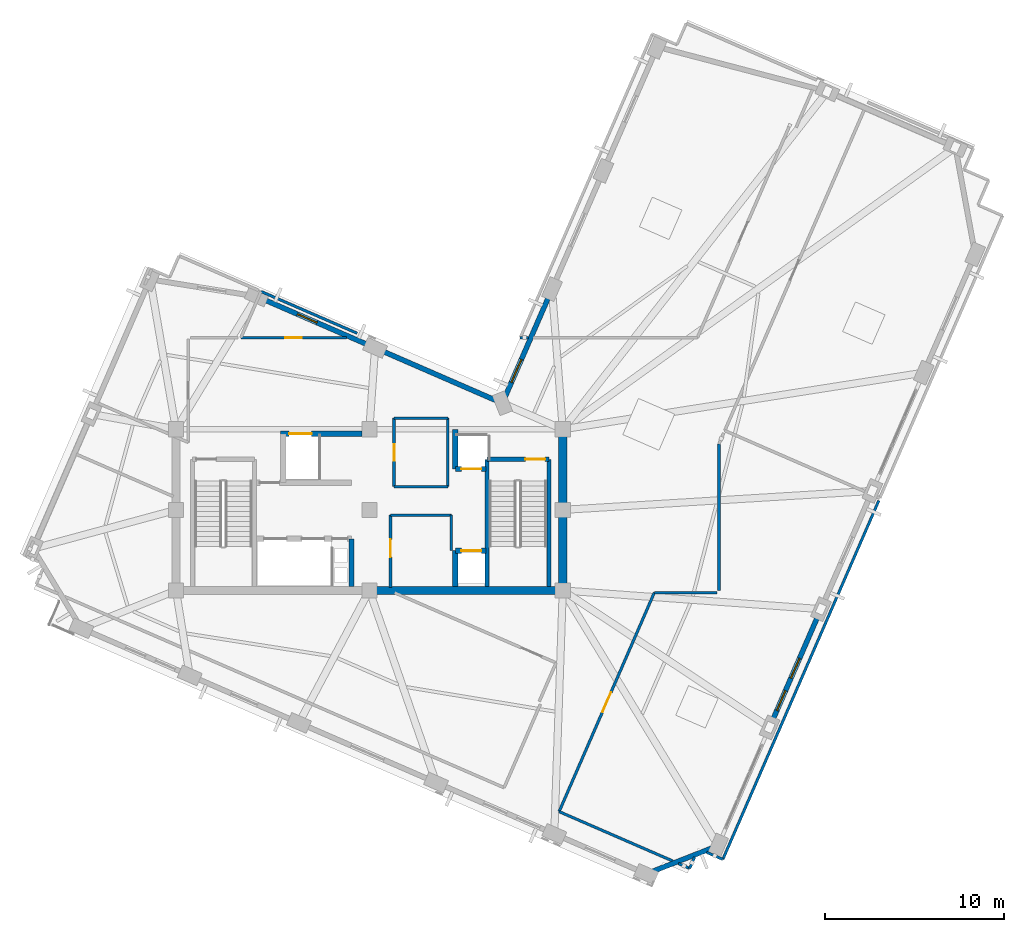
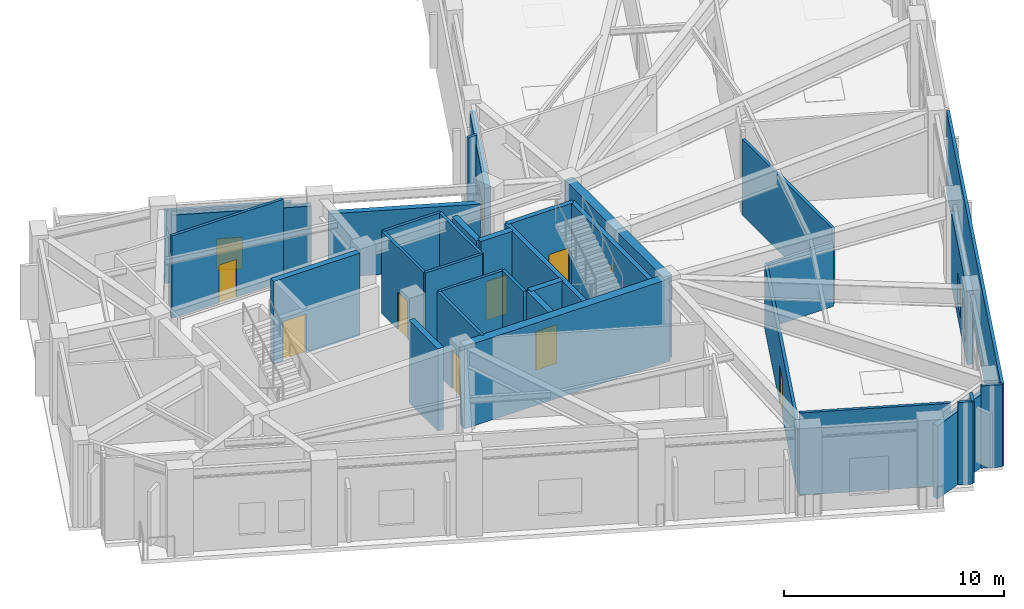
# One storey, part 6 of 11: 34 walls, 8 doors, 4 windows, 12 openings.
"""IFC4 building model written with IfcOpenShell, lengths in metres."""

from ifc_helpers import new_model, si_unit, direction, frame, frame_2d, origin, place, context, subcontext, project, spatial, rectangle, extrude, material, layer, layer_set, type_object, element, fill, save


model = new_model("IFC4")

# Units and contexts
model_context = context("Model", 3, precision=1e-05, world=origin(), true_north=direction((0.0, 1.0)))
body_context = subcontext(model_context, "Body", "Model", "MODEL_VIEW")
ifc_project = project(units=[si_unit("LENGTHUNIT", "METRE"), si_unit("AREAUNIT", "SQUARE_METRE"), si_unit("VOLUMEUNIT", "CUBIC_METRE"), si_unit("PLANEANGLEUNIT", "RADIAN"), si_unit("MASSUNIT", "GRAM", prefix="KILO")], contexts=[model_context])

# Site, building, storey
site_placement = place(None, origin())
site = spatial("IfcSite", under=ifc_project, at=site_placement, CompositionType="ELEMENT")
building_placement = place(site_placement, origin())
building = spatial("IfcBuilding", under=site, at=building_placement, Name="Gaonmaruhae Medical Tower", CompositionType="ELEMENT")
storey_placement = place(building_placement, frame((0.0, 0.0, 328.60009765625)))
storey = spatial("IfcBuildingStorey", under=building, at=storey_placement, Name="L79", CompositionType="ELEMENT", Elevation=328.60009765625)

# Walls
ifc_material_1 = material(Name="Concrete C50/60", Category="concrete")
ifc_layer_1 = layer(ifc_material_1, 0.449951171875)
ifc_layer_set_1 = layer_set([ifc_layer_1], Name="Concrete C50/60")
wall_type_1 = type_object("IfcWallType", Name="CW-450 Upper Core Shear Wall", PredefinedType="SHEAR", material=ifc_layer_set_1)
wall_1_placement = place(storey_placement, frame((24.800048828125, 7.800048828125, 0.0), z_axis=(0.0, 0.0, 1.0), x_axis=(1.0, 0.0, 0.0)))
element("IfcWall", 1, at=wall_1_placement, inside=storey, type_object=wall_type_1, Name="L79 Core Shear Wall CSW-S2", PredefinedType="SHEAR", context=body_context, shape_type="SweptSolid", body=[
    extrude(rectangle(XDim=10.800048828125, YDim=0.449951171875, at=frame_2d((5.39990234375, 0.0))), origin(), (0.0, 0.0, 1.0), 4.579833984375),
])
wall_2_placement = place(storey_placement, frame((35.60009765625, 7.800048828125, 0.0), z_axis=(0.0, 0.0, 1.0), x_axis=(0.0, 1.0, 0.0)))
element("IfcWall", 2, at=wall_2_placement, inside=storey, type_object=wall_type_1, Name="L79 Core Shear Wall CSW-E1", PredefinedType="SHEAR", context=body_context, shape_type="SweptSolid", body=[
    extrude(rectangle(XDim=9.0, YDim=0.449951171875, at=frame_2d((4.5, 0.0))), origin(), (0.0, 0.0, 1.0), 4.579833984375),
])

# Wall, openings, windows
ifc_material_2 = material(Name="Precast concrete C45/55", Category="concrete")
ifc_layer_2 = layer(ifc_material_2, 0.280029296875)
ifc_layer_set_2 = layer_set([ifc_layer_2], Name="Precast concrete C45/55")
wall_type_2 = type_object("IfcWallType", Name="EW-280 Upper Precast Masonry-Frame Facade Wall", PredefinedType="SOLIDWALL", material=ifc_layer_set_2)
wall_3_placement = place(storey_placement, frame((49.858642578125, 6.392578125, 0.0), z_axis=(0.0, 0.0, 1.0), x_axis=(-0.398758169539, -0.917056117272, 0.0)))
wall_3 = element("IfcWall", 3, at=wall_3_placement, inside=storey, type_object=wall_type_2, Name="L79 Precast Masonry-Frame Wall S02-S03", PredefinedType="SOLIDWALL", context=body_context, shape_type="SweptSolid", body=[
    extrude(rectangle(XDim=6.40478515625, YDim=0.280029296875, at=frame_2d((3.202392578125, 0.0))), origin(), (0.0, 0.0, 1.0), 4.06494140625),
])
opening_1_placement = place(wall_3_placement, frame((2.6025390625, 0.0, 0.75)))
opening_1 = element("IfcOpeningElement", 4, at=opening_1_placement, cuts=wall_3, Name="Opening WN-05", PredefinedType="OPENING", context=body_context, shape_type="SweptSolid", body=[
    extrude(rectangle(XDim=1.199951171875, YDim=1.75, at=frame_2d((0.60009765625, 0.875))), frame((0.0, 0.14990234375, 0.0), z_axis=(0.0, -1.0, 0.0), x_axis=(1.0, 0.0, 0.0)), (0.0, 0.0, 1.0), 0.300048828125),
])
opening_2_placement = place(wall_3_placement, frame((4.568603515625, 0.0, 0.75)))
opening_2 = element("IfcOpeningElement", 5, at=opening_2_placement, cuts=wall_3, Name="Opening WN-05", PredefinedType="OPENING", context=body_context, shape_type="SweptSolid", body=[
    extrude(rectangle(XDim=1.199951171875, YDim=1.75, at=frame_2d((0.60009765625, 0.875))), frame((0.0, 0.14990234375, 0.0), z_axis=(0.0, -1.0, 0.0), x_axis=(1.0, 0.0, 0.0)), (0.0, 0.0, 1.0), 0.300048828125),
])
ifc_material_3 = material(Name="Anodised aluminium and Low-E double glazing", Category="aluminium")
window_type_1 = type_object("IfcWindowType", Name="WN-05 Support & Staff Punched Window 1200x1750", PartitioningType="SINGLE_PANEL", PredefinedType="WINDOW", material=ifc_material_3)
window_1_placement = place(opening_1_placement, origin())
window_1 = element("IfcWindow", 6, at=window_1_placement, inside=storey, type_object=window_type_1, Name="L79 Modular Facade Window S02", OverallHeight=1.75, OverallWidth=1.199951171875, PartitioningType="SINGLE_PANEL", PredefinedType="WINDOW", context=body_context, shape_type="SweptSolid", body=[
    extrude(rectangle(XDim=1.199951171875, YDim=1.75, at=frame_2d((0.60009765625, 0.875))), frame((0.0, 0.030029296875, 0.0), z_axis=(0.0, -1.0, 0.0), x_axis=(1.0, 0.0, 0.0)), (0.0, 0.0, 1.0), 0.06005859375),
])
fill(opening_1, window_1)
window_2_placement = place(opening_2_placement, origin())
window_2 = element("IfcWindow", 7, at=window_2_placement, inside=storey, type_object=window_type_1, Name="L79 Modular Facade Window S02B", OverallHeight=1.75, OverallWidth=1.199951171875, PartitioningType="SINGLE_PANEL", PredefinedType="WINDOW", context=body_context, shape_type="SweptSolid", body=[
    extrude(rectangle(XDim=1.199951171875, YDim=1.75, at=frame_2d((0.60009765625, 0.875))), frame((0.0, 0.030029296875, 0.0), z_axis=(0.0, -1.0, 0.0), x_axis=(1.0, 0.0, 0.0)), (0.0, 0.0, 1.0), 0.06005859375),
])
fill(opening_2, window_2)

# Wall, opening, window
wall_4_placement = place(storey_placement, frame((32.384765625, 18.619384765625, 0.0), z_axis=(0.0, 0.0, 1.0), x_axis=(0.398753668733, 0.917058074318, 0.0)))
wall_4 = element("IfcWall", 8, at=wall_4_placement, inside=storey, type_object=wall_type_2, Name="L79 Precast Masonry-Frame Wall EN02-KN01", PredefinedType="SOLIDWALL", context=body_context, shape_type="SweptSolid", body=[
    extrude(rectangle(XDim=6.155029296875, YDim=0.280029296875, at=frame_2d((3.07763671875, 0.0))), origin(), (0.0, 0.0, 1.0), 4.06494140625),
])
opening_3_placement = place(wall_4_placement, frame((0.875, 0.0, 0.75)))
opening_3 = element("IfcOpeningElement", 9, at=opening_3_placement, cuts=wall_4, Name="Opening WN-03", PredefinedType="OPENING", context=body_context, shape_type="SweptSolid", body=[
    extrude(rectangle(XDim=1.39990234375, YDim=1.85009765625, at=frame_2d((0.699951171875, 0.925048828125))), frame((0.0, 0.14990234375, 0.0), z_axis=(0.0, -1.0, 0.0), x_axis=(1.0, 0.0, 0.0)), (0.0, 0.0, 1.0), 0.300048828125),
])
window_type_2 = type_object("IfcWindowType", Name="WN-03 Isolation Ward Punched Window 1400x1850", PartitioningType="SINGLE_PANEL", PredefinedType="WINDOW", material=ifc_material_3)
window_3_placement = place(opening_3_placement, origin())
window_3 = element("IfcWindow", 10, at=window_3_placement, inside=storey, type_object=window_type_2, Name="L79 Modular Facade Window EN02", OverallHeight=1.85009765625, OverallWidth=1.39990234375, PartitioningType="SINGLE_PANEL", PredefinedType="WINDOW", context=body_context, shape_type="SweptSolid", body=[
    extrude(rectangle(XDim=1.39990234375, YDim=1.85009765625, at=frame_2d((0.699951171875, 0.925048828125))), frame((0.0, 0.030029296875, 0.0), z_axis=(0.0, -1.0, 0.0), x_axis=(1.0, 0.0, 0.0)), (0.0, 0.0, 1.0), 0.06005859375),
])
fill(opening_3, window_3)

# Wall
wall_5_placement = place(storey_placement, frame((25.483642578125, 21.186767578125, 0.0), z_axis=(0.0, 0.0, 1.0), x_axis=(0.917060568388, -0.398747932794, 0.0)))
element("IfcWall", 11, at=wall_5_placement, inside=storey, type_object=wall_type_2, Name="L79 Precast Masonry-Frame Wall KN01-NE01", PredefinedType="SOLIDWALL", context=body_context, shape_type="SweptSolid", body=[
    extrude(rectangle(XDim=6.954833984375, YDim=0.280029296875, at=frame_2d((3.4775390625, 0.0))), origin(), (0.0, 0.0, 1.0), 3.56494140625),
])

# Wall, opening, window
wall_6_placement = place(storey_placement, frame((18.880859375, 24.0576171875, 0.0), z_axis=(0.0, 0.0, 1.0), x_axis=(0.917070056253, -0.398726111414, 0.0)))
wall_6 = element("IfcWall", 12, at=wall_6_placement, inside=storey, type_object=wall_type_2, Name="L79 Precast Masonry-Frame Wall NE01-NE02", PredefinedType="SOLIDWALL", context=body_context, shape_type="SweptSolid", body=[
    extrude(rectangle(XDim=6.40478515625, YDim=0.280029296875, at=frame_2d((3.202392578125, 0.0))), origin(), (0.0, 0.0, 1.0), 4.06494140625),
])
opening_4_placement = place(wall_6_placement, frame((2.0712890625, 0.0, 0.75)))
opening_4 = element("IfcOpeningElement", 13, at=opening_4_placement, cuts=wall_6, Name="Opening WN-05", PredefinedType="OPENING", context=body_context, shape_type="SweptSolid", body=[
    extrude(rectangle(XDim=1.199951171875, YDim=1.75, at=frame_2d((0.60009765625, 0.875))), frame((0.0, 0.14990234375, 0.0), z_axis=(0.0, -1.0, 0.0), x_axis=(1.0, 0.0, 0.0)), (0.0, 0.0, 1.0), 0.300048828125),
])
window_4_placement = place(opening_4_placement, origin())
window_4 = element("IfcWindow", 14, at=window_4_placement, inside=storey, type_object=window_type_1, Name="L79 Modular Facade Window NE01", OverallHeight=1.75, OverallWidth=1.199951171875, PartitioningType="SINGLE_PANEL", PredefinedType="WINDOW", context=body_context, shape_type="SweptSolid", body=[
    extrude(rectangle(XDim=1.199951171875, YDim=1.75, at=frame_2d((0.60009765625, 0.875))), frame((0.0, 0.030029296875, 0.0), z_axis=(0.0, -1.0, 0.0), x_axis=(1.0, 0.0, 0.0)), (0.0, 0.0, 1.0), 0.06005859375),
])
fill(opening_4, window_4)

# Wall
wall_7_placement = place(storey_placement, frame((43.9052734375, -6.593994140625, 0.0), z_axis=(0.0, 0.0, 1.0), x_axis=(-0.930406958637, -0.366528158974, 0.0)))
element("IfcWall", 15, at=wall_7_placement, inside=storey, type_object=wall_type_2, Name="L79 Precast Masonry-Frame Wall W06-S01", PredefinedType="SOLIDWALL", context=body_context, shape_type="SweptSolid", body=[
    extrude(rectangle(XDim=3.518310546875, YDim=0.280029296875, at=frame_2d((1.75927734375, 0.0))), origin(), (0.0, 0.0, 1.0), 4.06494140625),
])

# Wall, opening, door
ifc_material_4 = material(Name="Gypsum board partition", Category="gypsum")
ifc_layer_3 = layer(ifc_material_4, 0.14990234375)
ifc_layer_set_3 = layer_set([ifc_layer_3], Name="Gypsum board partition")
wall_type_3 = type_object("IfcWallType", Name="PW-150 Rated Clinical Corridor Partition", PredefinedType="PARTITIONING", material=ifc_layer_set_3)
wall_8_placement = place(storey_placement, frame((25.97998046875, 7.9599609375, 0.0), z_axis=(0.0, 0.0, 1.0), x_axis=(0.0, 1.0, 0.0)))
wall_8 = element("IfcWall", 16, at=wall_8_placement, inside=storey, type_object=wall_type_3, Name="L79 Interior Partition L79-RCL1-1", PredefinedType="PARTITIONING", context=body_context, shape_type="SweptSolid", body=[
    extrude(rectangle(XDim=4.0400390625, YDim=0.14990234375, at=frame_2d((2.02001953125, 0.0))), origin(), (0.0, 0.0, 1.0), 4.579833984375),
])
opening_5_placement = place(wall_8_placement, frame((1.695068359375, 0.0, 0.0)))
opening_5 = element("IfcOpeningElement", 17, at=opening_5_placement, cuts=wall_8, Name="Opening CD-01", PredefinedType="OPENING", context=body_context, shape_type="SweptSolid", body=[
    extrude(rectangle(XDim=1.0, YDim=2.1201171875, at=frame_2d((0.5, 1.06005859375))), frame((0.0, 0.0849609375, 0.0), z_axis=(0.0, -1.0, 0.0), x_axis=(1.0, 0.0, 0.0)), (0.0, 0.0, 1.0), 0.169921875),
])
ifc_material_5 = material(Name="Antimicrobial laminate timber fire door", Category="wood")
door_type_1 = type_object("IfcDoorType", Name="CD-01 Consultation & Physician Office Door 1000x2120", OperationType="NOTDEFINED", PredefinedType="DOOR", material=ifc_material_5)
door_1_placement = place(opening_5_placement, origin())
door_1 = element("IfcDoor", 18, at=door_1_placement, inside=storey, type_object=door_type_1, Name="L79 Clinical Telemetry and Medication Room Door", OperationType="SINGLE_SWING_RIGHT", OverallHeight=2.1201171875, OverallWidth=1.0, PredefinedType="DOOR", context=body_context, shape_type="SweptSolid", body=[
    extrude(rectangle(XDim=1.0, YDim=2.1201171875, at=frame_2d((0.5, 1.06005859375))), frame((0.0, 0.02490234375, 0.0), z_axis=(0.0, -1.0, 0.0), x_axis=(1.0, 0.0, 0.0)), (0.0, 0.0, 1.0), 0.050048828125),
])
fill(opening_5, door_1)

# Walls
wall_9_placement = place(storey_placement, frame((25.97998046875, 12.0, 0.0), z_axis=(0.0, 0.0, 1.0), x_axis=(1.0, 0.0, 0.0)))
element("IfcWall", 19, at=wall_9_placement, inside=storey, type_object=wall_type_3, Name="L79 Interior Partition L79-RCL1-2", PredefinedType="PARTITIONING", context=body_context, shape_type="SweptSolid", body=[
    extrude(rectangle(XDim=3.39990234375, YDim=0.14990234375, at=frame_2d((1.699951171875, 0.0))), origin(), (0.0, 0.0, 1.0), 4.579833984375),
])
wall_10_placement = place(storey_placement, frame((29.3798828125, 12.0, 0.0), z_axis=(0.0, 0.0, 1.0), x_axis=(0.0, -1.0, 0.0)))
element("IfcWall", 20, at=wall_10_placement, inside=storey, type_object=wall_type_3, Name="L79 Interior Partition L79-RCL1-3", PredefinedType="PARTITIONING", context=body_context, shape_type="SweptSolid", body=[
    extrude(rectangle(XDim=1.97998046875, YDim=0.14990234375, at=frame_2d((0.989990234375, 0.0))), origin(), (0.0, 0.0, 1.0), 4.579833984375),
])

# Wall, opening, door
wall_11_placement = place(storey_placement, frame((26.179931640625, 13.60009765625, 0.0), z_axis=(0.0, 0.0, 1.0), x_axis=(0.0, 1.0, 0.0)))
wall_11 = element("IfcWall", 21, at=wall_11_placement, inside=storey, type_object=wall_type_3, Name="L79 Interior Partition L79-RCL2-4", PredefinedType="PARTITIONING", context=body_context, shape_type="SweptSolid", body=[
    extrude(rectangle(XDim=3.81982421875, YDim=0.14990234375, at=frame_2d((1.909912109375, 0.0))), origin(), (0.0, 0.0, 1.0), 4.579833984375),
])
opening_6_placement = place(wall_11_placement, frame((1.449951171875, 0.0, 0.0)))
opening_6 = element("IfcOpeningElement", 22, at=opening_6_placement, cuts=wall_11, Name="Opening UD-01", PredefinedType="OPENING", context=body_context, shape_type="SweptSolid", body=[
    extrude(rectangle(XDim=0.919921875, YDim=2.10009765625, at=frame_2d((0.4599609375, 1.050048828125))), frame((0.0, 0.0849609375, 0.0), z_axis=(0.0, -1.0, 0.0), x_axis=(1.0, 0.0, 0.0)), (0.0, 0.0, 1.0), 0.169921875),
])
ifc_material_6 = material(Name="Powder-coated steel utility door", Category="steel")
door_type_2 = type_object("IfcDoorType", Name="UD-01 Toilet, Utility & Housekeeping Door 920x2100", OperationType="NOTDEFINED", PredefinedType="DOOR", material=ifc_material_6)
door_2_placement = place(opening_6_placement, origin())
door_2 = element("IfcDoor", 23, at=door_2_placement, inside=storey, type_object=door_type_2, Name="L79 Accessible Staff Toilet Door", OperationType="SINGLE_SWING_LEFT", OverallHeight=2.10009765625, OverallWidth=0.919921875, PredefinedType="DOOR", context=body_context, shape_type="SweptSolid", body=[
    extrude(rectangle(XDim=0.919921875, YDim=2.10009765625, at=frame_2d((0.4599609375, 1.050048828125))), frame((0.0, 0.02490234375, 0.0), z_axis=(0.0, -1.0, 0.0), x_axis=(1.0, 0.0, 0.0)), (0.0, 0.0, 1.0), 0.050048828125),
])
fill(opening_6, door_2)

# Walls
wall_12_placement = place(storey_placement, frame((26.179931640625, 17.419921875, 0.0), z_axis=(0.0, 0.0, 1.0), x_axis=(1.0, 0.0, 0.0)))
element("IfcWall", 24, at=wall_12_placement, inside=storey, type_object=wall_type_3, Name="L79 Interior Partition L79-RCL2-5", PredefinedType="PARTITIONING", context=body_context, shape_type="SweptSolid", body=[
    extrude(rectangle(XDim=3.0, YDim=0.14990234375, at=frame_2d((1.5, 0.0))), origin(), (0.0, 0.0, 1.0), 4.579833984375),
])
wall_13_placement = place(storey_placement, frame((29.179931640625, 17.419921875, 0.0), z_axis=(0.0, 0.0, 1.0), x_axis=(0.0, -1.0, 0.0)))
element("IfcWall", 25, at=wall_13_placement, inside=storey, type_object=wall_type_3, Name="L79 Interior Partition L79-RCL2-6", PredefinedType="PARTITIONING", context=body_context, shape_type="SweptSolid", body=[
    extrude(rectangle(XDim=3.81982421875, YDim=0.14990234375, at=frame_2d((1.909912109375, 0.0))), origin(), (0.0, 0.0, 1.0), 4.579833984375),
])
wall_14_placement = place(storey_placement, frame((29.179931640625, 13.60009765625, 0.0), z_axis=(0.0, 0.0, 1.0), x_axis=(-1.0, 0.0, 0.0)))
element("IfcWall", 26, at=wall_14_placement, inside=storey, type_object=wall_type_3, Name="L79 Interior Partition L79-RCL2-7", PredefinedType="PARTITIONING", context=body_context, shape_type="SweptSolid", body=[
    extrude(rectangle(XDim=3.0, YDim=0.14990234375, at=frame_2d((1.5, 0.0))), origin(), (0.0, 0.0, 1.0), 4.579833984375),
])
wall_15_placement = place(storey_placement, frame((44.320068359375, 7.800048828125, 0.0), z_axis=(0.0, 0.0, 1.0), x_axis=(0.0, 1.0, 0.0)))
element("IfcWall", 27, at=wall_15_placement, inside=storey, type_object=wall_type_3, Name="L79 Interior Partition L79-HYDR-16", PredefinedType="PARTITIONING", context=body_context, shape_type="SweptSolid", body=[
    extrude(rectangle(XDim=8.175048828125, YDim=0.14990234375, at=frame_2d((4.08740234375, 0.0))), origin(), (0.0, 0.0, 1.0), 4.21484375),
])
wall_16_placement = place(storey_placement, frame((53.2529296875, 12.820068359375, 0.0), z_axis=(0.0, 0.0, 1.0), x_axis=(-0.39875225923, -0.917058687194, 0.0)))
element("IfcWall", 28, at=wall_16_placement, inside=storey, type_object=wall_type_3, Name="L79 Interior Partition L79-HYDR-18", PredefinedType="PARTITIONING", context=body_context, shape_type="SweptSolid", body=[
    extrude(rectangle(XDim=21.850341796875, YDim=0.14990234375, at=frame_2d((10.92529296875, 0.0))), origin(), (0.0, 0.0, 1.0), 4.579833984375),
])
wall_17_placement = place(storey_placement, frame((44.5400390625, -7.218017578125, 0.0), z_axis=(0.0, 0.0, 1.0), x_axis=(-0.916865462782, 0.399196346623, 0.0)))
element("IfcWall", 29, at=wall_17_placement, inside=storey, type_object=wall_type_3, Name="L79 Interior Partition L79-HYDR-19", PredefinedType="PARTITIONING", context=body_context, shape_type="SweptSolid", body=[
    extrude(rectangle(XDim=0.987060546875, YDim=0.14990234375, at=frame_2d((0.49365234375, 0.0))), origin(), (0.0, 0.0, 1.0), 4.579833984375),
])
wall_18_placement = place(storey_placement, frame((42.9599609375, -7.090087890625, 0.0), z_axis=(0.0, 0.0, 1.0), x_axis=(-0.39880409212, -0.917036147656, 0.0)))
element("IfcWall", 30, at=wall_18_placement, inside=storey, type_object=wall_type_3, Name="L79 Interior Partition L79-HYDR-20", PredefinedType="PARTITIONING", context=body_context, shape_type="SweptSolid", body=[
    extrude(rectangle(XDim=0.686767578125, YDim=0.14990234375, at=frame_2d((0.34326171875, 0.0))), origin(), (0.0, 0.0, 1.0), 4.579833984375),
])
wall_19_placement = place(storey_placement, frame((42.68603515625, -7.719970703125, 0.0), z_axis=(0.0, 0.0, 1.0), x_axis=(-0.917092650936, 0.398674139617, 0.0)))
element("IfcWall", 31, at=wall_19_placement, inside=storey, type_object=wall_type_3, Name="L79 Interior Partition L79-HYDR-21", PredefinedType="PARTITIONING", context=body_context, shape_type="SweptSolid", body=[
    extrude(rectangle(XDim=0.68701171875, YDim=0.14990234375, at=frame_2d((0.343505859375, 0.0))), origin(), (0.0, 0.0, 1.0), 4.579833984375),
])
wall_20_placement = place(storey_placement, frame((41.758056640625, -7.31591796875, 0.0), z_axis=(0.0, 0.0, 1.0), x_axis=(-0.917082924279, 0.398696513648, 0.0)))
element("IfcWall", 32, at=wall_20_placement, inside=storey, type_object=wall_type_3, Name="L79 Interior Partition L79-HYDR-22", PredefinedType="PARTITIONING", context=body_context, shape_type="SweptSolid", body=[
    extrude(rectangle(XDim=6.937255859375, YDim=0.14990234375, at=frame_2d((3.46875, 0.0))), origin(), (0.0, 0.0, 1.0), 4.579833984375),
])

# Wall, opening, door
wall_21_placement = place(storey_placement, frame((35.39599609375, -4.550048828125, 0.0), z_axis=(0.0, 0.0, 1.0), x_axis=(0.398695317753, 0.917083444187, 0.0)))
wall_21 = element("IfcWall", 33, at=wall_21_placement, inside=storey, type_object=wall_type_3, Name="L79 Interior Partition L79-HYDR-23", PredefinedType="PARTITIONING", context=body_context, shape_type="SweptSolid", body=[
    extrude(rectangle(XDim=13.335693359375, YDim=0.14990234375, at=frame_2d((6.66796875, 0.0))), origin(), (0.0, 0.0, 1.0), 3.56494140625),
])
opening_7_placement = place(wall_21_placement, frame((6.06787109375, 0.0, 0.0)))
opening_7 = element("IfcOpeningElement", 34, at=opening_7_placement, cuts=wall_21, Name="Opening CD-02", PredefinedType="OPENING", context=body_context, shape_type="SweptSolid", body=[
    extrude(rectangle(XDim=1.199951171875, YDim=2.14990234375, at=frame_2d((0.60009765625, 1.074951171875))), frame((0.0, 0.0849609375, 0.0), z_axis=(0.0, -1.0, 0.0), x_axis=(1.0, 0.0, 0.0)), (0.0, 0.0, 1.0), 0.169921875),
])
door_type_3 = type_object("IfcDoorType", Name="CD-02 Clinical Treatment & Procedure Door 1200x2150", OperationType="NOTDEFINED", PredefinedType="DOOR", material=ifc_material_5)
door_3_placement = place(opening_7_placement, origin())
door_3 = element("IfcDoor", 35, at=door_3_placement, inside=storey, type_object=door_type_3, Name="L79 Hydrotherapy Mobility Rehabilitation Ward Door", OperationType="SINGLE_SWING_RIGHT", OverallHeight=2.14990234375, OverallWidth=1.199951171875, PredefinedType="DOOR", context=body_context, shape_type="SweptSolid", body=[
    extrude(rectangle(XDim=1.199951171875, YDim=2.14990234375, at=frame_2d((0.60009765625, 1.074951171875))), frame((0.0, 0.02490234375, 0.0), z_axis=(0.0, -1.0, 0.0), x_axis=(1.0, 0.0, 0.0)), (0.0, 0.0, 1.0), 0.050048828125),
])
fill(opening_7, door_3)

# Walls
wall_22_placement = place(storey_placement, frame((40.712890625, 7.679931640625, 0.0), z_axis=(0.0, 0.0, 1.0), x_axis=(0.999999961053, 0.000279095719, 0.0)))
element("IfcWall", 36, at=wall_22_placement, inside=storey, type_object=wall_type_3, Name="L79 Interior Partition L79-HYDR-24", PredefinedType="PARTITIONING", context=body_context, shape_type="SweptSolid", body=[
    extrude(rectangle(XDim=3.4990234375, YDim=0.14990234375, at=frame_2d((1.74951171875, 0.0))), origin(), (0.0, 0.0, 1.0), 3.56494140625),
])
wall_23_placement = place(storey_placement, frame((33.694091796875, 21.919921875, 0.0), z_axis=(0.0, 0.0, 1.0), x_axis=(-1.0, 0.0, 0.0)))
element("IfcWall", 37, at=wall_23_placement, inside=storey, type_object=wall_type_3, Name="L79 Interior Partition L79-CONS-27", PredefinedType="PARTITIONING", context=body_context, shape_type="SweptSolid", body=[
    extrude(rectangle(XDim=0.47412109375, YDim=0.14990234375, at=frame_2d((0.237060546875, 0.0))), origin(), (0.0, 0.0, 1.0), 4.579833984375),
])
wall_24_placement = place(storey_placement, frame((18.7470703125, 24.4970703125, 0.0), z_axis=(0.0, 0.0, 1.0), x_axis=(0.91710588147, -0.39864370329, 0.0)))
element("IfcWall", 38, at=wall_24_placement, inside=storey, type_object=wall_type_3, Name="L79 Interior Partition L79-AWC-42", PredefinedType="PARTITIONING", context=body_context, shape_type="SweptSolid", body=[
    extrude(rectangle(XDim=5.849853515625, YDim=0.14990234375, at=frame_2d((2.9248046875, 0.0))), origin(), (0.0, 0.0, 1.0), 4.06494140625),
])

# Wall, opening, door
wall_25_placement = place(storey_placement, frame((23.509033203125, 21.919921875, 0.0), z_axis=(0.0, 0.0, 1.0), x_axis=(-1.0, 0.0, 0.0)))
wall_25 = element("IfcWall", 39, at=wall_25_placement, inside=storey, type_object=wall_type_3, Name="L79 Interior Partition L79-AWC-43", PredefinedType="PARTITIONING", context=body_context, shape_type="SweptSolid", body=[
    extrude(rectangle(XDim=5.882080078125, YDim=0.14990234375, at=frame_2d((2.94091796875, 0.0))), origin(), (0.0, 0.0, 1.0), 4.579833984375),
])
opening_8_placement = place(wall_25_placement, frame((2.48095703125, 0.0, 0.0)))
opening_8 = element("IfcOpeningElement", 40, at=opening_8_placement, cuts=wall_25, Name="Opening UD-01", PredefinedType="OPENING", context=body_context, shape_type="SweptSolid", body=[
    extrude(rectangle(XDim=0.919921875, YDim=2.10009765625, at=frame_2d((0.4599609375, 1.050048828125))), frame((0.0, 0.0849609375, 0.0), z_axis=(0.0, -1.0, 0.0), x_axis=(1.0, 0.0, 0.0)), (0.0, 0.0, 1.0), 0.169921875),
])
door_4_placement = place(opening_8_placement, origin())
door_4 = element("IfcDoor", 41, at=door_4_placement, inside=storey, type_object=door_type_2, Name="L79 Sky Garden Accessible Public Toilet Door", OperationType="SINGLE_SWING_LEFT", OverallHeight=2.10009765625, OverallWidth=0.919921875, PredefinedType="DOOR", context=body_context, shape_type="SweptSolid", body=[
    extrude(rectangle(XDim=0.919921875, YDim=2.10009765625, at=frame_2d((0.4599609375, 1.050048828125))), frame((0.0, 0.02490234375, 0.0), z_axis=(0.0, -1.0, 0.0), x_axis=(1.0, 0.0, 0.0)), (0.0, 0.0, 1.0), 0.050048828125),
])
fill(opening_8, door_4)

ifc_layer_4 = layer(ifc_material_1, 0.239990234375)
ifc_layer_set_4 = layer_set([ifc_layer_4], Name="Concrete C50/60")
wall_type_4 = type_object("IfcWallType", Name="SW-240 Dogleg Stair Tight Shaft Wall", PredefinedType="SOLIDWALL", material=ifc_layer_set_4)
wall_26_placement = place(storey_placement, frame((31.3701171875, 15.1201171875, 0.0), z_axis=(0.0, 0.0, 1.0), x_axis=(1.0, 0.0, 0.0)))
wall_26 = element("IfcWall", 42, at=wall_26_placement, inside=storey, type_object=wall_type_4, Name="L79 ST-02 Stair Shaft Wall SHW-ST-02-N", PredefinedType="SOLIDWALL", context=body_context, shape_type="SweptSolid", body=[
    extrude(rectangle(XDim=3.4599609375, YDim=0.239990234375, at=frame_2d((1.72998046875, 0.0))), origin(), (0.0, 0.0, 1.0), 4.579833984375),
])
opening_9_placement = place(wall_26_placement, frame((2.139892578125, 0.0, 0.0)))
opening_9 = element("IfcOpeningElement", 43, at=opening_9_placement, cuts=wall_26, Name="Opening FD-01", PredefinedType="OPENING", context=body_context, shape_type="SweptSolid", body=[
    extrude(rectangle(XDim=1.10009765625, YDim=2.14990234375, at=frame_2d((0.550048828125, 1.074951171875))), frame((0.0, 0.1298828125, 0.0), z_axis=(0.0, -1.0, 0.0), x_axis=(1.0, 0.0, 0.0)), (0.0, 0.0, 1.0), 0.260009765625),
])
ifc_material_7 = material(Name="Powder-coated steel fire door", Category="steel")
door_type_4 = type_object("IfcDoorType", Name="FD-01 Escape Stair Protected Fire Door 1100x2150", OperationType="NOTDEFINED", PredefinedType="DOOR", material=ifc_material_7)
door_5_placement = place(opening_9_placement, origin())
door_5 = element("IfcDoor", 44, at=door_5_placement, inside=storey, type_object=door_type_4, Name="L79 ST-02 Protected Escape Stair Door", OperationType="SINGLE_SWING_LEFT", OverallHeight=2.14990234375, OverallWidth=1.10009765625, PredefinedType="DOOR", context=body_context, shape_type="SweptSolid", body=[
    extrude(rectangle(XDim=1.10009765625, YDim=2.14990234375, at=frame_2d((0.550048828125, 1.074951171875))), frame((0.0, 0.02490234375, 0.0), z_axis=(0.0, -1.0, 0.0), x_axis=(1.0, 0.0, 0.0)), (0.0, 0.0, 1.0), 0.050048828125),
])
fill(opening_9, door_5)

# Walls
for number, where, z_axis, x_axis, name in (
    (45, (34.830078125, 15.1201171875, 0.0), (0.0, 0.0, 1.0), (0.0, -1.0, 0.0), "L79 ST-02 Stair Shaft Wall SHW-ST-02-E"),
    (46, (31.3701171875, 8.02490234375, 0.0), (0.0, 0.0, 1.0), (0.0, 1.0, 0.0), "L79 ST-02 Stair Shaft Wall SHW-ST-02-W"),
):
    element("IfcWall", number, at=place(storey_placement, frame(where, z_axis=z_axis, x_axis=x_axis)), inside=storey, type_object=wall_type_4, Name=name, PredefinedType="SOLIDWALL", context=body_context, shape_type="SweptSolid", body=[
        extrude(rectangle(XDim=7.09521484375, YDim=0.239990234375, at=frame_2d((3.547607421875, 0.0))), origin(), (0.0, 0.0, 1.0), 4.579833984375),
    ])

# Wall, opening, door
ifc_layer_5 = layer(ifc_material_1, 0.300048828125)
ifc_layer_set_5 = layer_set([ifc_layer_5], Name="Concrete C50/60")
wall_type_5 = type_object("IfcWallType", Name="SW-300 Stair & Lift Hoistway Shaft Wall", PredefinedType="SOLIDWALL", material=ifc_layer_set_5)
wall_27_placement = place(storey_placement, frame((19.85009765625, 16.550048828125, 0.0), z_axis=(0.0, 0.0, 1.0), x_axis=(1.0, 0.0, 0.0)))
wall_27 = element("IfcWall", 47, at=wall_27_placement, inside=storey, type_object=wall_type_5, Name="L79 Core Shear Wall CSW-NB", PredefinedType="SOLIDWALL", context=body_context, shape_type="SweptSolid", body=[
    extrude(rectangle(XDim=4.52490234375, YDim=0.300048828125, at=frame_2d((2.262451171875, 0.0))), origin(), (0.0, 0.0, 1.0), 4.579833984375),
])
opening_10_placement = place(wall_27_placement, frame((0.47509765625, 0.0, 0.0)))
opening_10 = element("IfcOpeningElement", 48, at=opening_10_placement, cuts=wall_27, Name="Opening LD-F1", PredefinedType="OPENING", context=body_context, shape_type="SweptSolid", body=[
    extrude(rectangle(XDim=1.25, YDim=2.179931640625, at=frame_2d((0.625, 1.08984375))), frame((0.0, 0.16015625, 0.0), z_axis=(0.0, -1.0, 0.0), x_axis=(1.0, 0.0, 0.0)), (0.0, 0.0, 1.0), 0.320068359375),
])
ifc_material_8 = material(Name="Brushed stainless steel 316L landing door", Category="steel")
door_type_5 = type_object("IfcDoorType", Name="LD-F1 Firefighting & Bed Lift Sliding Landing Door 1250x2180", OperationType="NOTDEFINED", PredefinedType="DOOR", material=ifc_material_8)
door_6_placement = place(opening_10_placement, origin())
door_6 = element("IfcDoor", 49, at=door_6_placement, inside=storey, type_object=door_type_5, Name="L79 Service/Bed Lift Landing Door BDL-01", OperationType="DOUBLE_DOOR_SLIDING", OverallHeight=2.179931640625, OverallWidth=1.25, PredefinedType="DOOR", context=body_context, shape_type="SweptSolid", body=[
    extrude(rectangle(XDim=1.25, YDim=2.179931640625, at=frame_2d((0.625, 1.08984375))), frame((0.0, 0.02490234375, 0.0), z_axis=(0.0, -1.0, 0.0), x_axis=(1.0, 0.0, 0.0)), (0.0, 0.0, 1.0), 0.050048828125),
])
fill(opening_10, door_6)

# Wall
wall_28_placement = place(storey_placement, frame((23.800048828125, 8.02490234375, 0.0), z_axis=(0.0, 0.0, 1.0), x_axis=(0.0, 1.0, 0.0)))
element("IfcWall", 50, at=wall_28_placement, inside=storey, type_object=wall_type_5, Name="L79 Shaft Enclosure Wall SHW-FFE", PredefinedType="SOLIDWALL", context=body_context, shape_type="SweptSolid", body=[
    extrude(rectangle(XDim=2.655029296875, YDim=0.300048828125, at=frame_2d((1.32763671875, 0.0))), origin(), (0.0, 0.0, 1.0), 4.579833984375),
])

# Wall, opening, door
wall_29_placement = place(storey_placement, frame((29.60009765625, 10.02001953125, 0.0), z_axis=(0.0, 0.0, 1.0), x_axis=(1.0, 0.0, 0.0)))
wall_29 = element("IfcWall", 51, at=wall_29_placement, inside=storey, type_object=wall_type_5, Name="L79 Shaft Enclosure Wall SHW-PLS", PredefinedType="SOLIDWALL", context=body_context, shape_type="SweptSolid", body=[
    extrude(rectangle(XDim=1.699951171875, YDim=0.300048828125, at=frame_2d((0.85009765625, 0.0))), origin(), (0.0, 0.0, 1.0), 4.579833984375),
])
opening_11_placement = place(wall_29_placement, frame((0.340087890625, 0.0, 0.0)))
opening_11 = element("IfcOpeningElement", 52, at=opening_11_placement, cuts=wall_29, Name="Opening LD-P1", PredefinedType="OPENING", context=body_context, shape_type="SweptSolid", body=[
    extrude(rectangle(XDim=1.1201171875, YDim=2.14990234375, at=frame_2d((0.56005859375, 1.074951171875))), frame((0.0, 0.16015625, 0.0), z_axis=(0.0, -1.0, 0.0), x_axis=(1.0, 0.0, 0.0)), (0.0, 0.0, 1.0), 0.320068359375),
])
ifc_material_9 = material(Name="Brushed stainless steel 304 landing door", Category="steel")
door_type_6 = type_object("IfcDoorType", Name="LD-P1 Passenger Lift Sliding Landing Door 1120x2150", OperationType="NOTDEFINED", PredefinedType="DOOR", material=ifc_material_9)
door_7_placement = place(opening_11_placement, origin())
door_7 = element("IfcDoor", 53, at=door_7_placement, inside=storey, type_object=door_type_6, Name="L79 Passenger Lift Landing Door PL-H1", OperationType="DOUBLE_DOOR_SLIDING", OverallHeight=2.14990234375, OverallWidth=1.1201171875, PredefinedType="DOOR", context=body_context, shape_type="SweptSolid", body=[
    extrude(rectangle(XDim=1.1201171875, YDim=2.14990234375, at=frame_2d((0.56005859375, 1.074951171875))), frame((0.0, 0.02490234375, 0.0), z_axis=(0.0, -1.0, 0.0), x_axis=(1.0, 0.0, 0.0)), (0.0, 0.0, 1.0), 0.050048828125),
])
fill(opening_11, door_7)

# Wall
wall_30_placement = place(storey_placement, frame((29.60009765625, 8.02490234375, 0.0), z_axis=(0.0, 0.0, 1.0), x_axis=(0.0, 1.0, 0.0)))
element("IfcWall", 54, at=wall_30_placement, inside=storey, type_object=wall_type_5, Name="L79 Shaft Enclosure Wall SHW-PLD1", PredefinedType="SOLIDWALL", context=body_context, shape_type="SweptSolid", body=[
    extrude(rectangle(XDim=1.9951171875, YDim=0.300048828125, at=frame_2d((0.99755859375, 0.0))), origin(), (0.0, 0.0, 1.0), 4.579833984375),
])

# Wall, opening, door
wall_31_placement = place(storey_placement, frame((29.60009765625, 14.580078125, 0.0), z_axis=(0.0, 0.0, 1.0), x_axis=(1.0, 0.0, 0.0)))
wall_31 = element("IfcWall", 55, at=wall_31_placement, inside=storey, type_object=wall_type_5, Name="L79 Shaft Enclosure Wall SHW-PLN", PredefinedType="SOLIDWALL", context=body_context, shape_type="SweptSolid", body=[
    extrude(rectangle(XDim=1.699951171875, YDim=0.300048828125, at=frame_2d((0.85009765625, 0.0))), origin(), (0.0, 0.0, 1.0), 4.579833984375),
])
opening_12_placement = place(wall_31_placement, frame((0.340087890625, 0.0, 0.0)))
opening_12 = element("IfcOpeningElement", 56, at=opening_12_placement, cuts=wall_31, Name="Opening LD-P1", PredefinedType="OPENING", context=body_context, shape_type="SweptSolid", body=[
    extrude(rectangle(XDim=1.1201171875, YDim=2.14990234375, at=frame_2d((0.56005859375, 1.074951171875))), frame((0.0, 0.16015625, 0.0), z_axis=(0.0, -1.0, 0.0), x_axis=(1.0, 0.0, 0.0)), (0.0, 0.0, 1.0), 0.320068359375),
])
door_8_placement = place(opening_12_placement, origin())
door_8 = element("IfcDoor", 57, at=door_8_placement, inside=storey, type_object=door_type_6, Name="L79 Passenger Lift Landing Door PL-H2", OperationType="DOUBLE_DOOR_SLIDING", OverallHeight=2.14990234375, OverallWidth=1.1201171875, PredefinedType="DOOR", context=body_context, shape_type="SweptSolid", body=[
    extrude(rectangle(XDim=1.1201171875, YDim=2.14990234375, at=frame_2d((0.56005859375, 1.074951171875))), frame((0.0, 0.02490234375, 0.0), z_axis=(0.0, -1.0, 0.0), x_axis=(1.0, 0.0, 0.0)), (0.0, 0.0, 1.0), 0.050048828125),
])
fill(opening_12, door_8)

# Wall
wall_32_placement = place(storey_placement, frame((29.60009765625, 14.580078125, 0.0), z_axis=(0.0, 0.0, 1.0), x_axis=(0.0, 1.0, 0.0)))
element("IfcWall", 58, at=wall_32_placement, inside=storey, type_object=wall_type_5, Name="L79 Shaft Enclosure Wall SHW-PLD2", PredefinedType="SOLIDWALL", context=body_context, shape_type="SweptSolid", body=[
    extrude(rectangle(XDim=2.219970703125, YDim=0.300048828125, at=frame_2d((1.10986328125, 0.0))), origin(), (0.0, 0.0, 1.0), 4.579833984375),
])

save(model, "model.ifc")
